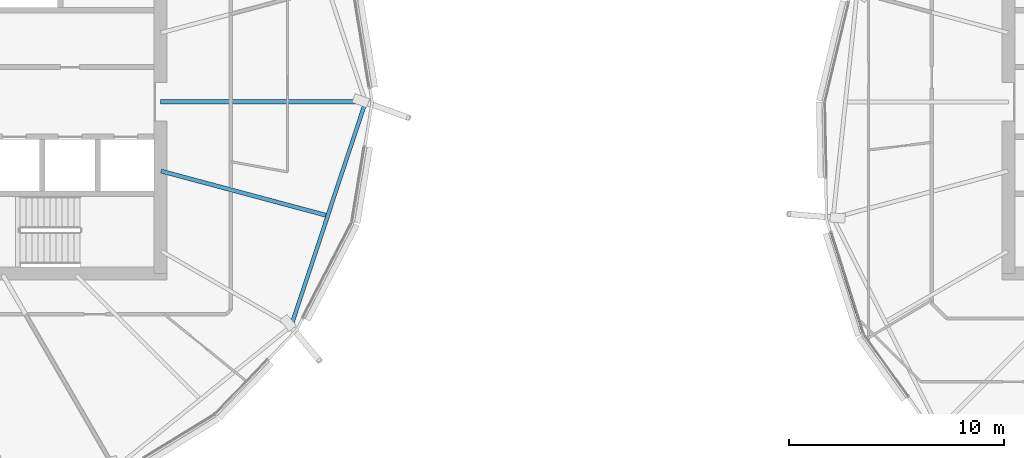
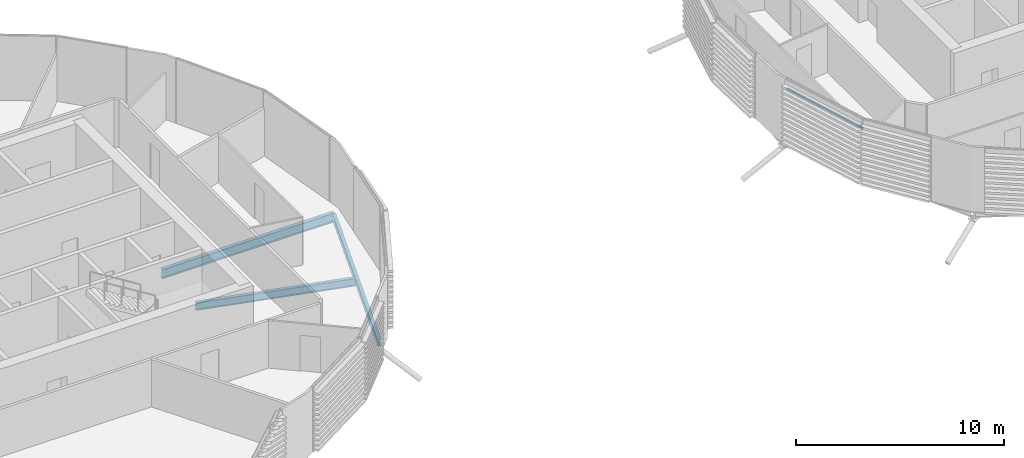
# One storey, part 7 of 38: 3 beams, 1 member, 1 element without a shape of its own.
"""IFC4 building model written with IfcOpenShell, lengths in metres."""

from ifc_helpers import new_model, si_unit, direction, frame, origin, origin_2d, place, context, subcontext, project, spatial, rectangle, i_section, extrude, material, material_profile, profile_set, type_object, element, aggregate, save


model = new_model("IFC4")

# Units and contexts
model_context = context("Model", 3, precision=1e-05, world=origin(), true_north=direction((0.0, 1.0)))
body_context = subcontext(model_context, "Body", "Model", "MODEL_VIEW")
ifc_project = project(units=[si_unit("LENGTHUNIT", "METRE"), si_unit("AREAUNIT", "SQUARE_METRE"), si_unit("VOLUMEUNIT", "CUBIC_METRE"), si_unit("PLANEANGLEUNIT", "RADIAN"), si_unit("MASSUNIT", "GRAM", prefix="KILO")], contexts=[model_context])

# Site, building, storey
site_placement = place(None, origin())
site = spatial("IfcSite", under=ifc_project, at=site_placement, CompositionType="ELEMENT")
building_placement = place(site_placement, origin())
building = spatial("IfcBuilding", under=site, at=building_placement, Name="Rimbun Link Towers", CompositionType="ELEMENT")
storey_placement = place(building_placement, frame((0.0, 0.0, 185.5)))
storey = spatial("IfcBuildingStorey", under=building, at=storey_placement, Name="L45", CompositionType="ELEMENT", Elevation=185.5)

# Curtain wall, member
ifc_material_1 = material(Name="Aluminium 6063-T6 and low-iron glass", Category="aluminium")
curtain_wall_type = type_object("IfcCurtainWallType", Name="CW1-Z3 unitised vision wall (zone 3)", PredefinedType="NOTDEFINED", material=ifc_material_1)
curtain_wall_placement = place(storey_placement, origin())
curtain_wall = element("IfcCurtainWall", 1, at=curtain_wall_placement, inside=storey, type_object=curtain_wall_type, Name="CW1 L45 T2", PredefinedType="NOTDEFINED")
ifc_material_2 = material(Name="Aluminium 6063-T6", Category="aluminium")
ifc_material_profile_1 = material_profile(ifc_material_2, rectangle(XDim=0.06005859375, YDim=0.1201171875, at=origin_2d()), Name="TRANSOM 60X120")
ifc_profile_set_1 = profile_set([ifc_material_profile_1], Name="Aluminium 6063-T6")
member_type = type_object("IfcMemberType", Name="CW1 transom 60X120", PredefinedType="USERDEFINED", material=ifc_profile_set_1)
member_placement = place(storey_placement, frame((12.96435546875, -10.7978515625, 3.199951171875), z_axis=(-0.303079249721, 0.952965355293, 0.0), x_axis=(-0.952965355293, -0.303079249721, 0.0)))
member = element("IfcMember", 2, at=member_placement, type_object=member_type, Name="CW1 transom", ObjectType="TRANSOM", PredefinedType="USERDEFINED", context=body_context, shape_type="SweptSolid", body=[
    extrude(rectangle(XDim=0.06005859375, YDim=0.1201171875, at=origin_2d()), origin(), (0.0, 0.0, 1.0), 4.941162109375),
])
aggregate(curtain_wall, [member])

# Beams
ifc_material_3 = material(Name="Steel S355J2", Category="steel")
ifc_material_profile_2 = material_profile(ifc_material_3, i_section(OverallWidth=0.177978515625, OverallDepth=0.406494140625, WebThickness=0.0078125, FlangeThickness=0.0126953125, at=origin_2d()), Name="UB 406x178x60")
ifc_profile_set_2 = profile_set([ifc_material_profile_2], Name="Steel S355J2")
beam_type_1 = type_object("IfcBeamType", Name="UB 406x178x60", PredefinedType="BEAM", material=ifc_profile_set_2)
beam_1_placement = place(storey_placement, frame((-13.637939453125, -10.356689453125, -0.353271484375), z_axis=(0.314864361063, 0.94913667832, 0.0), x_axis=(-0.94913667832, 0.314864361063, 0.0)))
element("IfcBeam", 3, at=beam_1_placement, inside=storey, type_object=beam_type_1, Name="Edge beam T1 L45 22-00", PredefinedType="BEAM", context=body_context, shape_type="SweptSolid", body=[
    extrude(i_section(OverallWidth=0.177978515625, OverallDepth=0.406494140625, WebThickness=0.0078125, FlangeThickness=0.0126953125, at=origin_2d()), origin(), (0.0, 0.0, 1.0), 10.80029296875),
])
ifc_material_4 = material(Name="Steel S355J2", Category="steel")
ifc_material_profile_3 = material_profile(ifc_material_4, i_section(OverallWidth=0.18994140625, OverallDepth=0.453369140625, WebThickness=0.008544921875, FlangeThickness=0.0126953125, at=origin_2d()), Name="UB 457x191x67")
ifc_profile_set_3 = profile_set([ifc_material_profile_3], Name="Steel S355J2")
beam_type_2 = type_object("IfcBeamType", Name="UB 457x191x67", PredefinedType="BEAM", material=ifc_profile_set_3)
beam_2_placement = place(storey_placement, frame((-19.724609375, -3.22216796875, -0.376708984375), z_axis=(0.965924739595, -0.258823100664, 0.0), x_axis=(0.258823100664, 0.965924739595, 0.0)))
element("IfcBeam", 4, at=beam_2_placement, inside=storey, type_object=beam_type_2, Name="Radial beam T1 L45 23", PredefinedType="BEAM", context=body_context, shape_type="SweptSolid", body=[
    extrude(i_section(OverallWidth=0.18994140625, OverallDepth=0.453369140625, WebThickness=0.008544921875, FlangeThickness=0.0126953125, at=origin_2d()), origin(), (0.0, 0.0, 1.0), 7.947021484375),
])
ifc_material_5 = material(Name="Steel S355J2", Category="steel")
ifc_material_profile_4 = material_profile(ifc_material_5, i_section(OverallWidth=0.209228515625, OverallDepth=0.533203125, WebThickness=0.010009765625, FlangeThickness=0.015625, at=origin_2d()), Name="UB 533x210x92")
ifc_profile_set_4 = profile_set([ifc_material_profile_4], Name="Steel S355J2")
beam_type_3 = type_object("IfcBeamType", Name="UB 533x210x92", PredefinedType="BEAM", material=ifc_profile_set_4)
beam_3_placement = place(storey_placement, frame((-19.7490234375, 0.0, -0.41650390625), z_axis=(1.0, 0.0, 0.0), x_axis=(0.0, 1.0, 0.0)))
element("IfcBeam", 5, at=beam_3_placement, inside=storey, type_object=beam_type_3, Name="Radial beam T1 L45 00", PredefinedType="BEAM", context=body_context, shape_type="SweptSolid", body=[
    extrude(i_section(OverallWidth=0.209228515625, OverallDepth=0.533203125, WebThickness=0.010009765625, FlangeThickness=0.015625, at=origin_2d()), origin(), (0.0, 0.0, 1.0), 9.546630859375),
])

save(model, "model.ifc")
